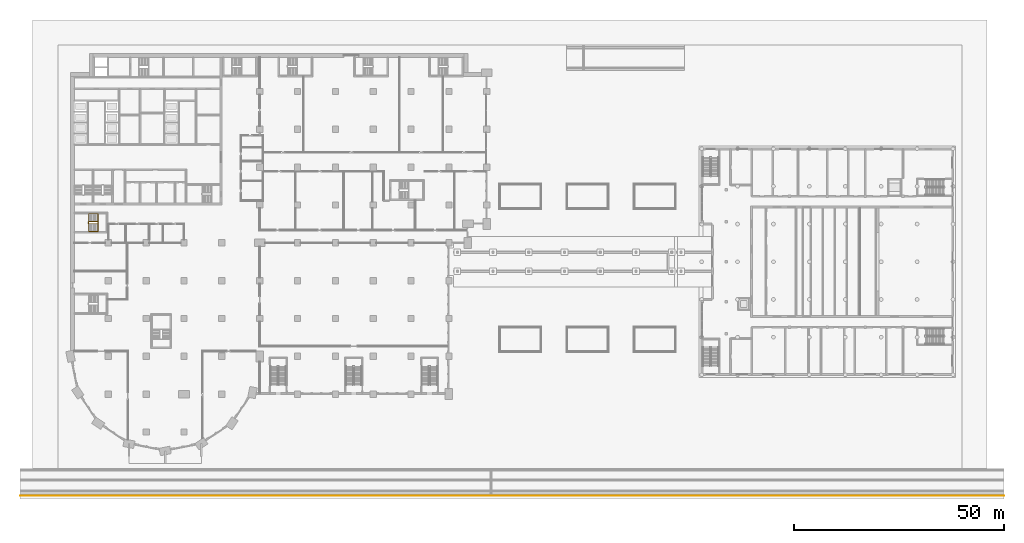
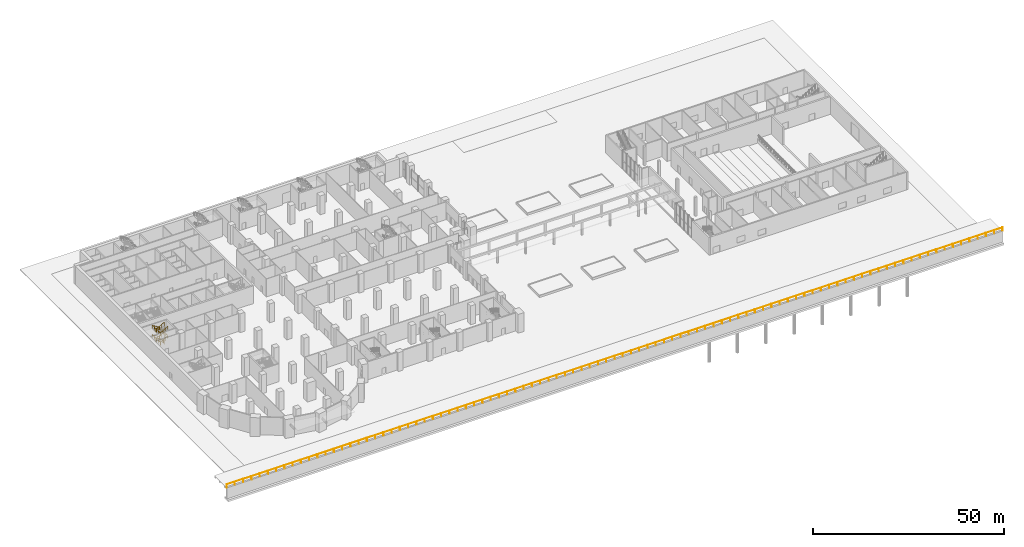
# One storey, part 38 of 47: 3 railings.
"""IFC4 building model written with IfcOpenShell, lengths in metres."""

from ifc_helpers import new_model, si_unit, direction, frame, origin, origin_2d, place, context, subcontext, project, spatial, circle, extrude, material, type_object, element, save


model = new_model("IFC4")

# Units and contexts
model_context = context("Model", 3, precision=1e-05, world=origin(), true_north=direction((0.0, 1.0)))
body_context = subcontext(model_context, "Body", "Model", "MODEL_VIEW")
ifc_project = project(units=[si_unit("LENGTHUNIT", "METRE"), si_unit("AREAUNIT", "SQUARE_METRE"), si_unit("VOLUMEUNIT", "CUBIC_METRE"), si_unit("PLANEANGLEUNIT", "RADIAN"), si_unit("MASSUNIT", "GRAM", prefix="KILO")], contexts=[model_context])

# Site, building, storey
site_placement = place(None, origin())
site = spatial("IfcSite", under=ifc_project, at=site_placement, CompositionType="ELEMENT")
building_placement = place(site_placement, origin())
building = spatial("IfcBuilding", under=site, at=building_placement, Name="Hunhe Ridgeline Campus", CompositionType="ELEMENT")
storey_placement = place(building_placement, origin())
storey = spatial("IfcBuildingStorey", under=building, at=storey_placement, Name="L00", CompositionType="ELEMENT", Elevation=0.0)

# Railings
ifc_material_1 = material(Name="Steel Q235", Category="steel")
railing_type_1 = type_object("IfcRailingType", Name="Quay guard 1100", PredefinedType="GUARDRAIL", material=ifc_material_1)
railing_1_placement = place(storey_placement, frame((-12.0, -6.14990234375, 0.0)))
element("IfcRailing", 1, at=railing_1_placement, inside=storey, type_object=railing_type_1, Name="Quay guard", PredefinedType="GUARDRAIL", context=body_context, shape_type="SweptSolid", body=[
    extrude(circle(Radius=0.02392578125, at=origin_2d()), frame((0.0, 0.0, 1.076171875), z_axis=(1.0, 0.0, 0.0), x_axis=(0.0, 1.0, 0.0)), (0.0, 0.0, 1.0), 234.0),
    extrude(circle(Radius=0.02099609375, at=origin_2d()), origin(), (0.0, 0.0, 1.0), 1.052001953125),
    extrude(circle(Radius=0.02099609375, at=origin_2d()), frame((2.4892578125, 0.0, 0.0)), (0.0, 0.0, 1.0), 1.052001953125),
    extrude(circle(Radius=0.02099609375, at=origin_2d()), frame((4.978759765625, 0.0, 0.0)), (0.0, 0.0, 1.0), 1.052001953125),
    extrude(circle(Radius=0.02099609375, at=origin_2d()), frame((7.468017578125, 0.0, 0.0)), (0.0, 0.0, 1.0), 1.052001953125),
    extrude(circle(Radius=0.02099609375, at=origin_2d()), frame((9.95751953125, 0.0, 0.0)), (0.0, 0.0, 1.0), 1.052001953125),
    extrude(circle(Radius=0.02099609375, at=origin_2d()), frame((12.44677734375, 0.0, 0.0)), (0.0, 0.0, 1.0), 1.052001953125),
    extrude(circle(Radius=0.02099609375, at=origin_2d()), frame((14.936279296875, 0.0, 0.0)), (0.0, 0.0, 1.0), 1.052001953125),
    extrude(circle(Radius=0.02099609375, at=origin_2d()), frame((17.425537109375, 0.0, 0.0)), (0.0, 0.0, 1.0), 1.052001953125),
    extrude(circle(Radius=0.02099609375, at=origin_2d()), frame((19.914794921875, 0.0, 0.0)), (0.0, 0.0, 1.0), 1.052001953125),
    extrude(circle(Radius=0.02099609375, at=origin_2d()), frame((22.404296875, 0.0, 0.0)), (0.0, 0.0, 1.0), 1.052001953125),
    extrude(circle(Radius=0.02099609375, at=origin_2d()), frame((24.8935546875, 0.0, 0.0)), (0.0, 0.0, 1.0), 1.052001953125),
    extrude(circle(Radius=0.02099609375, at=origin_2d()), frame((27.383056640625, 0.0, 0.0)), (0.0, 0.0, 1.0), 1.052001953125),
    extrude(circle(Radius=0.02099609375, at=origin_2d()), frame((29.872314453125, 0.0, 0.0)), (0.0, 0.0, 1.0), 1.052001953125),
    extrude(circle(Radius=0.02099609375, at=origin_2d()), frame((32.36181640625, 0.0, 0.0)), (0.0, 0.0, 1.0), 1.052001953125),
    extrude(circle(Radius=0.02099609375, at=origin_2d()), frame((34.85107421875, 0.0, 0.0)), (0.0, 0.0, 1.0), 1.052001953125),
    extrude(circle(Radius=0.02099609375, at=origin_2d()), frame((37.34033203125, 0.0, 0.0)), (0.0, 0.0, 1.0), 1.052001953125),
    extrude(circle(Radius=0.02099609375, at=origin_2d()), frame((39.829833984375, 0.0, 0.0)), (0.0, 0.0, 1.0), 1.052001953125),
    extrude(circle(Radius=0.02099609375, at=origin_2d()), frame((42.319091796875, 0.0, 0.0)), (0.0, 0.0, 1.0), 1.052001953125),
    extrude(circle(Radius=0.02099609375, at=origin_2d()), frame((44.80859375, 0.0, 0.0)), (0.0, 0.0, 1.0), 1.052001953125),
    extrude(circle(Radius=0.02099609375, at=origin_2d()), frame((47.2978515625, 0.0, 0.0)), (0.0, 0.0, 1.0), 1.052001953125),
    extrude(circle(Radius=0.02099609375, at=origin_2d()), frame((49.787353515625, 0.0, 0.0)), (0.0, 0.0, 1.0), 1.052001953125),
    extrude(circle(Radius=0.02099609375, at=origin_2d()), frame((52.276611328125, 0.0, 0.0)), (0.0, 0.0, 1.0), 1.052001953125),
    extrude(circle(Radius=0.02099609375, at=origin_2d()), frame((54.765869140625, 0.0, 0.0)), (0.0, 0.0, 1.0), 1.052001953125),
    extrude(circle(Radius=0.02099609375, at=origin_2d()), frame((57.25537109375, 0.0, 0.0)), (0.0, 0.0, 1.0), 1.052001953125),
    extrude(circle(Radius=0.02099609375, at=origin_2d()), frame((59.74462890625, 0.0, 0.0)), (0.0, 0.0, 1.0), 1.052001953125),
    extrude(circle(Radius=0.02099609375, at=origin_2d()), frame((62.234130859375, 0.0, 0.0)), (0.0, 0.0, 1.0), 1.052001953125),
    extrude(circle(Radius=0.02099609375, at=origin_2d()), frame((64.723388671875, 0.0, 0.0)), (0.0, 0.0, 1.0), 1.052001953125),
    extrude(circle(Radius=0.02099609375, at=origin_2d()), frame((67.212646484375, 0.0, 0.0)), (0.0, 0.0, 1.0), 1.052001953125),
    extrude(circle(Radius=0.02099609375, at=origin_2d()), frame((69.7021484375, 0.0, 0.0)), (0.0, 0.0, 1.0), 1.052001953125),
    extrude(circle(Radius=0.02099609375, at=origin_2d()), frame((72.19140625, 0.0, 0.0)), (0.0, 0.0, 1.0), 1.052001953125),
    extrude(circle(Radius=0.02099609375, at=origin_2d()), frame((74.680908203125, 0.0, 0.0)), (0.0, 0.0, 1.0), 1.052001953125),
    extrude(circle(Radius=0.02099609375, at=origin_2d()), frame((77.170166015625, 0.0, 0.0)), (0.0, 0.0, 1.0), 1.052001953125),
    extrude(circle(Radius=0.02099609375, at=origin_2d()), frame((79.65966796875, 0.0, 0.0)), (0.0, 0.0, 1.0), 1.052001953125),
    extrude(circle(Radius=0.02099609375, at=origin_2d()), frame((82.14892578125, 0.0, 0.0)), (0.0, 0.0, 1.0), 1.052001953125),
    extrude(circle(Radius=0.02099609375, at=origin_2d()), frame((84.63818359375, 0.0, 0.0)), (0.0, 0.0, 1.0), 1.052001953125),
    extrude(circle(Radius=0.02099609375, at=origin_2d()), frame((87.127685546875, 0.0, 0.0)), (0.0, 0.0, 1.0), 1.052001953125),
    extrude(circle(Radius=0.02099609375, at=origin_2d()), frame((89.616943359375, 0.0, 0.0)), (0.0, 0.0, 1.0), 1.052001953125),
    extrude(circle(Radius=0.02099609375, at=origin_2d()), frame((92.1064453125, 0.0, 0.0)), (0.0, 0.0, 1.0), 1.052001953125),
    extrude(circle(Radius=0.02099609375, at=origin_2d()), frame((94.595703125, 0.0, 0.0)), (0.0, 0.0, 1.0), 1.052001953125),
    extrude(circle(Radius=0.02099609375, at=origin_2d()), frame((97.085205078125, 0.0, 0.0)), (0.0, 0.0, 1.0), 1.052001953125),
    extrude(circle(Radius=0.02099609375, at=origin_2d()), frame((99.574462890625, 0.0, 0.0)), (0.0, 0.0, 1.0), 1.052001953125),
    extrude(circle(Radius=0.02099609375, at=origin_2d()), frame((102.063720703125, 0.0, 0.0)), (0.0, 0.0, 1.0), 1.052001953125),
    extrude(circle(Radius=0.02099609375, at=origin_2d()), frame((104.55322265625, 0.0, 0.0)), (0.0, 0.0, 1.0), 1.052001953125),
    extrude(circle(Radius=0.02099609375, at=origin_2d()), frame((107.04248046875, 0.0, 0.0)), (0.0, 0.0, 1.0), 1.052001953125),
    extrude(circle(Radius=0.02099609375, at=origin_2d()), frame((109.531982421875, 0.0, 0.0)), (0.0, 0.0, 1.0), 1.052001953125),
    extrude(circle(Radius=0.02099609375, at=origin_2d()), frame((112.021240234375, 0.0, 0.0)), (0.0, 0.0, 1.0), 1.052001953125),
    extrude(circle(Radius=0.02099609375, at=origin_2d()), frame((114.5107421875, 0.0, 0.0)), (0.0, 0.0, 1.0), 1.052001953125),
    extrude(circle(Radius=0.02099609375, at=origin_2d()), frame((117.0, 0.0, 0.0)), (0.0, 0.0, 1.0), 1.052001953125),
    extrude(circle(Radius=0.02099609375, at=origin_2d()), frame((119.4892578125, 0.0, 0.0)), (0.0, 0.0, 1.0), 1.052001953125),
    extrude(circle(Radius=0.02099609375, at=origin_2d()), frame((121.978759765625, 0.0, 0.0)), (0.0, 0.0, 1.0), 1.052001953125),
    extrude(circle(Radius=0.02099609375, at=origin_2d()), frame((124.468017578125, 0.0, 0.0)), (0.0, 0.0, 1.0), 1.052001953125),
    extrude(circle(Radius=0.02099609375, at=origin_2d()), frame((126.95751953125, 0.0, 0.0)), (0.0, 0.0, 1.0), 1.052001953125),
    extrude(circle(Radius=0.02099609375, at=origin_2d()), frame((129.44677734375, 0.0, 0.0)), (0.0, 0.0, 1.0), 1.052001953125),
    extrude(circle(Radius=0.02099609375, at=origin_2d()), frame((131.936279296875, 0.0, 0.0)), (0.0, 0.0, 1.0), 1.052001953125),
    extrude(circle(Radius=0.02099609375, at=origin_2d()), frame((134.425537109375, 0.0, 0.0)), (0.0, 0.0, 1.0), 1.052001953125),
    extrude(circle(Radius=0.02099609375, at=origin_2d()), frame((136.914794921875, 0.0, 0.0)), (0.0, 0.0, 1.0), 1.052001953125),
    extrude(circle(Radius=0.02099609375, at=origin_2d()), frame((139.404296875, 0.0, 0.0)), (0.0, 0.0, 1.0), 1.052001953125),
    extrude(circle(Radius=0.02099609375, at=origin_2d()), frame((141.8935546875, 0.0, 0.0)), (0.0, 0.0, 1.0), 1.052001953125),
    extrude(circle(Radius=0.02099609375, at=origin_2d()), frame((144.383056640625, 0.0, 0.0)), (0.0, 0.0, 1.0), 1.052001953125),
    extrude(circle(Radius=0.02099609375, at=origin_2d()), frame((146.872314453125, 0.0, 0.0)), (0.0, 0.0, 1.0), 1.052001953125),
    extrude(circle(Radius=0.02099609375, at=origin_2d()), frame((149.36181640625, 0.0, 0.0)), (0.0, 0.0, 1.0), 1.052001953125),
    extrude(circle(Radius=0.02099609375, at=origin_2d()), frame((151.85107421875, 0.0, 0.0)), (0.0, 0.0, 1.0), 1.052001953125),
    extrude(circle(Radius=0.02099609375, at=origin_2d()), frame((154.34033203125, 0.0, 0.0)), (0.0, 0.0, 1.0), 1.052001953125),
    extrude(circle(Radius=0.02099609375, at=origin_2d()), frame((156.829833984375, 0.0, 0.0)), (0.0, 0.0, 1.0), 1.052001953125),
    extrude(circle(Radius=0.02099609375, at=origin_2d()), frame((159.319091796875, 0.0, 0.0)), (0.0, 0.0, 1.0), 1.052001953125),
    extrude(circle(Radius=0.02099609375, at=origin_2d()), frame((161.80859375, 0.0, 0.0)), (0.0, 0.0, 1.0), 1.052001953125),
    extrude(circle(Radius=0.02099609375, at=origin_2d()), frame((164.2978515625, 0.0, 0.0)), (0.0, 0.0, 1.0), 1.052001953125),
    extrude(circle(Radius=0.02099609375, at=origin_2d()), frame((166.787353515625, 0.0, 0.0)), (0.0, 0.0, 1.0), 1.052001953125),
    extrude(circle(Radius=0.02099609375, at=origin_2d()), frame((169.276611328125, 0.0, 0.0)), (0.0, 0.0, 1.0), 1.052001953125),
    extrude(circle(Radius=0.02099609375, at=origin_2d()), frame((171.765869140625, 0.0, 0.0)), (0.0, 0.0, 1.0), 1.052001953125),
    extrude(circle(Radius=0.02099609375, at=origin_2d()), frame((174.25537109375, 0.0, 0.0)), (0.0, 0.0, 1.0), 1.052001953125),
    extrude(circle(Radius=0.02099609375, at=origin_2d()), frame((176.74462890625, 0.0, 0.0)), (0.0, 0.0, 1.0), 1.052001953125),
    extrude(circle(Radius=0.02099609375, at=origin_2d()), frame((179.234130859375, 0.0, 0.0)), (0.0, 0.0, 1.0), 1.052001953125),
    extrude(circle(Radius=0.02099609375, at=origin_2d()), frame((181.723388671875, 0.0, 0.0)), (0.0, 0.0, 1.0), 1.052001953125),
    extrude(circle(Radius=0.02099609375, at=origin_2d()), frame((184.212646484375, 0.0, 0.0)), (0.0, 0.0, 1.0), 1.052001953125),
    extrude(circle(Radius=0.02099609375, at=origin_2d()), frame((186.7021484375, 0.0, 0.0)), (0.0, 0.0, 1.0), 1.052001953125),
    extrude(circle(Radius=0.02099609375, at=origin_2d()), frame((189.19140625, 0.0, 0.0)), (0.0, 0.0, 1.0), 1.052001953125),
    extrude(circle(Radius=0.02099609375, at=origin_2d()), frame((191.680908203125, 0.0, 0.0)), (0.0, 0.0, 1.0), 1.052001953125),
    extrude(circle(Radius=0.02099609375, at=origin_2d()), frame((194.170166015625, 0.0, 0.0)), (0.0, 0.0, 1.0), 1.052001953125),
    extrude(circle(Radius=0.02099609375, at=origin_2d()), frame((196.65966796875, 0.0, 0.0)), (0.0, 0.0, 1.0), 1.052001953125),
    extrude(circle(Radius=0.02099609375, at=origin_2d()), frame((199.14892578125, 0.0, 0.0)), (0.0, 0.0, 1.0), 1.052001953125),
    extrude(circle(Radius=0.02099609375, at=origin_2d()), frame((201.63818359375, 0.0, 0.0)), (0.0, 0.0, 1.0), 1.052001953125),
    extrude(circle(Radius=0.02099609375, at=origin_2d()), frame((204.127685546875, 0.0, 0.0)), (0.0, 0.0, 1.0), 1.052001953125),
    extrude(circle(Radius=0.02099609375, at=origin_2d()), frame((206.616943359375, 0.0, 0.0)), (0.0, 0.0, 1.0), 1.052001953125),
    extrude(circle(Radius=0.02099609375, at=origin_2d()), frame((209.1064453125, 0.0, 0.0)), (0.0, 0.0, 1.0), 1.052001953125),
    extrude(circle(Radius=0.02099609375, at=origin_2d()), frame((211.595703125, 0.0, 0.0)), (0.0, 0.0, 1.0), 1.052001953125),
    extrude(circle(Radius=0.02099609375, at=origin_2d()), frame((214.085205078125, 0.0, 0.0)), (0.0, 0.0, 1.0), 1.052001953125),
    extrude(circle(Radius=0.02099609375, at=origin_2d()), frame((216.574462890625, 0.0, 0.0)), (0.0, 0.0, 1.0), 1.052001953125),
    extrude(circle(Radius=0.02099609375, at=origin_2d()), frame((219.063720703125, 0.0, 0.0)), (0.0, 0.0, 1.0), 1.052001953125),
    extrude(circle(Radius=0.02099609375, at=origin_2d()), frame((221.55322265625, 0.0, 0.0)), (0.0, 0.0, 1.0), 1.052001953125),
    extrude(circle(Radius=0.02099609375, at=origin_2d()), frame((224.04248046875, 0.0, 0.0)), (0.0, 0.0, 1.0), 1.052001953125),
    extrude(circle(Radius=0.02099609375, at=origin_2d()), frame((226.531982421875, 0.0, 0.0)), (0.0, 0.0, 1.0), 1.052001953125),
    extrude(circle(Radius=0.02099609375, at=origin_2d()), frame((229.021240234375, 0.0, 0.0)), (0.0, 0.0, 1.0), 1.052001953125),
    extrude(circle(Radius=0.02099609375, at=origin_2d()), frame((231.5107421875, 0.0, 0.0)), (0.0, 0.0, 1.0), 1.052001953125),
    extrude(circle(Radius=0.02099609375, at=origin_2d()), frame((234.0, 0.0, 0.0)), (0.0, 0.0, 1.0), 1.052001953125),
])
ifc_material_2 = material(Name="Stainless steel balustrade", Category="steel")
railing_type_2 = type_object("IfcRailingType", Name="Stair guard 1100 stainless", PredefinedType="GUARDRAIL", material=ifc_material_2)
railing_2_placement = place(storey_placement, frame((6.550048828125, 59.050048828125, 0.166748046875)))
element("IfcRailing", 2, at=railing_2_placement, inside=storey, type_object=railing_type_2, Name="L00 stair W2 guard", PredefinedType="GUARDRAIL", context=body_context, shape_type="SweptSolid", body=[
    extrude(circle(Radius=0.02392578125, at=origin_2d()), frame((0.0, 0.0, 1.076171875), z_axis=(-0.859305625298, 0.0, 0.511462454469), x_axis=(0.0, -1.0, 0.0)), (0.0, 0.0, 1.0), 2.606689453125),
    extrude(circle(Radius=0.02392578125, at=origin_2d()), frame((-2.239990234375, 0.0, 2.4091796875), z_axis=(-0.707106781187, -0.707106781187, 0.0), x_axis=(0.707106781187, -0.707106781187, 0.0)), (0.0, 0.0, 1.0), 0.07080078125),
    extrude(circle(Radius=0.02392578125, at=origin_2d()), frame((-2.2900390625, -0.050048828125, 2.4091796875), z_axis=(0.0, -1.0, 0.0), x_axis=(1.0, 0.0, 0.0)), (0.0, 0.0, 1.0), 0.39990234375),
    extrude(circle(Radius=0.02392578125, at=origin_2d()), frame((-2.2900390625, -0.449951171875, 2.4091796875), z_axis=(0.27628659633, -0.27628659633, 0.920506074601), x_axis=(0.707106781187, 0.707106781187, 0.0)), (0.0, 0.0, 1.0), 0.18115234375),
    extrude(circle(Radius=0.02392578125, at=origin_2d()), frame((-2.239990234375, -0.5, 2.576171875), z_axis=(0.859305625298, 0.0, 0.511462454469), x_axis=(0.0, 1.0, 0.0)), (0.0, 0.0, 1.0), 2.606689453125),
    extrude(circle(Radius=0.02392578125, at=origin_2d()), frame((0.0, -0.5, 3.9091796875), z_axis=(0.707106781187, 0.707106781187, 0.0), x_axis=(-0.707106781187, 0.707106781187, 0.0)), (0.0, 0.0, 1.0), 0.07080078125),
    extrude(circle(Radius=0.02392578125, at=origin_2d()), frame((0.050048828125, -0.449951171875, 3.9091796875), z_axis=(0.0, 1.0, 0.0), x_axis=(-1.0, 0.0, 0.0)), (0.0, 0.0, 1.0), 0.39990234375),
    extrude(circle(Radius=0.02392578125, at=origin_2d()), frame((0.050048828125, -0.050048828125, 3.9091796875), z_axis=(-0.27628659633, 0.27628659633, 0.920506074601), x_axis=(-0.707106781187, -0.707106781187, 0.0)), (0.0, 0.0, 1.0), 0.18115234375),
    extrude(circle(Radius=0.02392578125, at=origin_2d()), frame((0.0, 0.0, 4.076171875), z_axis=(-0.859305625298, 0.0, 0.511462454469), x_axis=(0.0, -1.0, 0.0)), (0.0, 0.0, 1.0), 2.606689453125),
    extrude(circle(Radius=0.02392578125, at=origin_2d()), frame((-2.239990234375, 0.0, 5.4091796875), z_axis=(-0.707106781187, -0.707106781187, 0.0), x_axis=(0.707106781187, -0.707106781187, 0.0)), (0.0, 0.0, 1.0), 0.07080078125),
    extrude(circle(Radius=0.02392578125, at=origin_2d()), frame((-2.2900390625, -0.050048828125, 5.4091796875), z_axis=(0.0, -1.0, 0.0), x_axis=(1.0, 0.0, 0.0)), (0.0, 0.0, 1.0), 0.39990234375),
    extrude(circle(Radius=0.02392578125, at=origin_2d()), frame((-2.2900390625, -0.449951171875, 5.4091796875), z_axis=(0.27628659633, -0.27628659633, 0.920506074601), x_axis=(0.707106781187, 0.707106781187, 0.0)), (0.0, 0.0, 1.0), 0.18115234375),
    extrude(circle(Radius=0.02392578125, at=origin_2d()), frame((-2.239990234375, -0.5, 5.576171875), z_axis=(0.859305625298, 0.0, 0.511462454469), x_axis=(0.0, 1.0, 0.0)), (0.0, 0.0, 1.0), 2.606689453125),
    extrude(circle(Radius=0.02392578125, at=origin_2d()), frame((0.0, -0.5, 6.9091796875), z_axis=(0.008340891014, 0.008340891014, -0.999930427117), x_axis=(1.0, 0.0, 0.0)), (0.0, 0.0, 1.0), 6.00048828125),
    extrude(circle(Radius=0.02392578125, at=origin_2d()), frame((0.050048828125, -0.449951171875, 0.9091796875), z_axis=(0.0, 1.0, 0.0), x_axis=(-1.0, 0.0, 0.0)), (0.0, 0.0, 1.0), 0.39990234375),
    extrude(circle(Radius=0.02099609375, at=origin_2d()), origin(), (0.0, 0.0, 1.0), 1.052001953125),
    extrude(circle(Radius=0.02099609375, at=origin_2d()), frame((-0.74658203125, 0.0, 0.4443359375)), (0.0, 0.0, 1.0), 1.052001953125),
    extrude(circle(Radius=0.02099609375, at=origin_2d()), frame((-1.493408203125, 0.0, 0.888916015625)), (0.0, 0.0, 1.0), 1.052001953125),
    extrude(circle(Radius=0.02099609375, at=origin_2d()), frame((-2.239990234375, 0.0, 1.333251953125)), (0.0, 0.0, 1.0), 1.052001953125),
    extrude(circle(Radius=0.02099609375, at=origin_2d()), frame((-2.2900390625, -0.050048828125, 1.333251953125)), (0.0, 0.0, 1.0), 1.052001953125),
    extrude(circle(Radius=0.02099609375, at=origin_2d()), frame((-2.2900390625, -0.449951171875, 1.333251953125)), (0.0, 0.0, 1.0), 1.052001953125),
    extrude(circle(Radius=0.02099609375, at=origin_2d()), frame((-2.239990234375, -0.5, 1.5)), (0.0, 0.0, 1.0), 1.052001953125),
    extrude(circle(Radius=0.02099609375, at=origin_2d()), frame((-1.493408203125, -0.5, 1.9443359375)), (0.0, 0.0, 1.0), 1.052001953125),
    extrude(circle(Radius=0.02099609375, at=origin_2d()), frame((-0.74658203125, -0.5, 2.388916015625)), (0.0, 0.0, 1.0), 1.052001953125),
    extrude(circle(Radius=0.02099609375, at=origin_2d()), frame((0.0, -0.5, 2.833251953125)), (0.0, 0.0, 1.0), 1.052001953125),
    extrude(circle(Radius=0.02099609375, at=origin_2d()), frame((0.050048828125, -0.449951171875, 2.833251953125)), (0.0, 0.0, 1.0), 1.052001953125),
    extrude(circle(Radius=0.02099609375, at=origin_2d()), frame((0.050048828125, -0.050048828125, 2.833251953125)), (0.0, 0.0, 1.0), 1.052001953125),
    extrude(circle(Radius=0.02099609375, at=origin_2d()), frame((0.0, 0.0, 3.0)), (0.0, 0.0, 1.0), 1.052001953125),
    extrude(circle(Radius=0.02099609375, at=origin_2d()), frame((-0.74658203125, 0.0, 3.4443359375)), (0.0, 0.0, 1.0), 1.052001953125),
    extrude(circle(Radius=0.02099609375, at=origin_2d()), frame((-1.493408203125, 0.0, 3.888916015625)), (0.0, 0.0, 1.0), 1.052001953125),
    extrude(circle(Radius=0.02099609375, at=origin_2d()), frame((-2.239990234375, 0.0, 4.333251953125)), (0.0, 0.0, 1.0), 1.052001953125),
    extrude(circle(Radius=0.02099609375, at=origin_2d()), frame((-2.2900390625, -0.050048828125, 4.333251953125)), (0.0, 0.0, 1.0), 1.052001953125),
    extrude(circle(Radius=0.02099609375, at=origin_2d()), frame((-2.2900390625, -0.449951171875, 4.333251953125)), (0.0, 0.0, 1.0), 1.052001953125),
    extrude(circle(Radius=0.02099609375, at=origin_2d()), frame((-2.239990234375, -0.5, 4.5)), (0.0, 0.0, 1.0), 1.052001953125),
    extrude(circle(Radius=0.02099609375, at=origin_2d()), frame((-1.493408203125, -0.5, 4.9443359375)), (0.0, 0.0, 1.0), 1.052001953125),
    extrude(circle(Radius=0.02099609375, at=origin_2d()), frame((-0.74658203125, -0.5, 5.388916015625)), (0.0, 0.0, 1.0), 1.052001953125),
    extrude(circle(Radius=0.02099609375, at=origin_2d()), frame((0.0, -0.5, 5.833251953125)), (0.0, 0.0, 1.0), 1.052001953125),
    extrude(circle(Radius=0.02099609375, at=origin_2d()), frame((0.00830078125, -0.49169921875, 4.833251953125)), (0.0, 0.0, 1.0), 1.052001953125),
    extrude(circle(Radius=0.02099609375, at=origin_2d()), frame((0.0166015625, -0.4833984375, 3.833251953125)), (0.0, 0.0, 1.0), 1.052001953125),
    extrude(circle(Radius=0.02099609375, at=origin_2d()), frame((0.02490234375, -0.47509765625, 2.833251953125)), (0.0, 0.0, 1.0), 1.052001953125),
    extrude(circle(Radius=0.02099609375, at=origin_2d()), frame((0.033447265625, -0.466552734375, 1.833251953125)), (0.0, 0.0, 1.0), 1.052001953125),
    extrude(circle(Radius=0.02099609375, at=origin_2d()), frame((0.041748046875, -0.458251953125, 0.833251953125)), (0.0, 0.0, 1.0), 1.052001953125),
    extrude(circle(Radius=0.02099609375, at=origin_2d()), frame((0.050048828125, -0.449951171875, -0.166748046875)), (0.0, 0.0, 1.0), 1.052001953125),
    extrude(circle(Radius=0.02099609375, at=origin_2d()), frame((0.050048828125, -0.050048828125, -0.166748046875)), (0.0, 0.0, 1.0), 1.052001953125),
])
ifc_material_3 = material(Name="Stainless steel handrail", Category="steel")
railing_type_3 = type_object("IfcRailingType", Name="Stair handrail 900 stainless", PredefinedType="HANDRAIL", material=ifc_material_3)
railing_3_placement = place(storey_placement, frame((6.550048828125, 60.89990234375, 0.166748046875)))
element("IfcRailing", 3, at=railing_3_placement, inside=storey, type_object=railing_type_3, Name="L00 stair W2 handrail", PredefinedType="HANDRAIL", context=body_context, shape_type="SweptSolid", body=[
    extrude(circle(Radius=0.02392578125, at=origin_2d()), frame((0.0, 0.0, 0.8759765625), z_axis=(-0.859305625298, 0.0, 0.511462454469), x_axis=(0.0, -1.0, 0.0)), (0.0, 0.0, 1.0), 2.606689453125),
    extrude(circle(Radius=0.02392578125, at=origin_2d()), frame((-2.239990234375, 0.0, 2.208984375), z_axis=(0.0, -0.999212791134, 0.039671123429), x_axis=(1.0, 0.0, 0.0)), (0.0, 0.0, 1.0), 4.203369140625),
    extrude(circle(Radius=0.02392578125, at=origin_2d()), frame((-2.239990234375, -4.199951171875, 2.3759765625), z_axis=(0.859305625298, 0.0, 0.511462454469), x_axis=(0.0, 1.0, 0.0)), (0.0, 0.0, 1.0), 2.606689453125),
    extrude(circle(Radius=0.02392578125, at=origin_2d()), frame((0.0, -4.199951171875, 3.708984375), z_axis=(0.0, 0.999212791134, 0.039671123429), x_axis=(-1.0, 0.0, 0.0)), (0.0, 0.0, 1.0), 4.203369140625),
    extrude(circle(Radius=0.02392578125, at=origin_2d()), frame((0.0, 0.0, 3.8759765625), z_axis=(-0.859305625298, 0.0, 0.511462454469), x_axis=(0.0, -1.0, 0.0)), (0.0, 0.0, 1.0), 2.606689453125),
    extrude(circle(Radius=0.02392578125, at=origin_2d()), frame((-2.239990234375, 0.0, 5.208984375), z_axis=(0.0, -0.999212791134, 0.039671123429), x_axis=(1.0, 0.0, 0.0)), (0.0, 0.0, 1.0), 4.203369140625),
    extrude(circle(Radius=0.02392578125, at=origin_2d()), frame((-2.239990234375, -4.199951171875, 5.3759765625), z_axis=(0.859305625298, 0.0, 0.511462454469), x_axis=(0.0, 1.0, 0.0)), (0.0, 0.0, 1.0), 2.606689453125),
    extrude(circle(Radius=0.02099609375, at=origin_2d()), origin(), (0.0, 0.0, 1.0), 0.851806640625),
    extrude(circle(Radius=0.02099609375, at=origin_2d()), frame((-0.74658203125, 0.0, 0.4443359375)), (0.0, 0.0, 1.0), 0.851806640625),
    extrude(circle(Radius=0.02099609375, at=origin_2d()), frame((-1.493408203125, 0.0, 0.888916015625)), (0.0, 0.0, 1.0), 0.851806640625),
    extrude(circle(Radius=0.02099609375, at=origin_2d()), frame((-2.239990234375, 0.0, 1.333251953125)), (0.0, 0.0, 1.0), 0.851806640625),
    extrude(circle(Radius=0.02099609375, at=origin_2d()), frame((-2.239990234375, -1.050048828125, 1.375)), (0.0, 0.0, 1.0), 0.851806640625),
    extrude(circle(Radius=0.02099609375, at=origin_2d()), frame((-2.239990234375, -2.10009765625, 1.41650390625)), (0.0, 0.0, 1.0), 0.851806640625),
    extrude(circle(Radius=0.02099609375, at=origin_2d()), frame((-2.239990234375, -3.14990234375, 1.458251953125)), (0.0, 0.0, 1.0), 0.851806640625),
    extrude(circle(Radius=0.02099609375, at=origin_2d()), frame((-2.239990234375, -4.199951171875, 1.5)), (0.0, 0.0, 1.0), 0.851806640625),
    extrude(circle(Radius=0.02099609375, at=origin_2d()), frame((-1.493408203125, -4.199951171875, 1.9443359375)), (0.0, 0.0, 1.0), 0.851806640625),
    extrude(circle(Radius=0.02099609375, at=origin_2d()), frame((-0.74658203125, -4.199951171875, 2.388916015625)), (0.0, 0.0, 1.0), 0.851806640625),
    extrude(circle(Radius=0.02099609375, at=origin_2d()), frame((0.0, -4.199951171875, 2.833251953125)), (0.0, 0.0, 1.0), 0.851806640625),
    extrude(circle(Radius=0.02099609375, at=origin_2d()), frame((0.0, -3.14990234375, 2.875)), (0.0, 0.0, 1.0), 0.851806640625),
    extrude(circle(Radius=0.02099609375, at=origin_2d()), frame((0.0, -2.10009765625, 2.91650390625)), (0.0, 0.0, 1.0), 0.851806640625),
    extrude(circle(Radius=0.02099609375, at=origin_2d()), frame((0.0, -1.050048828125, 2.958251953125)), (0.0, 0.0, 1.0), 0.851806640625),
    extrude(circle(Radius=0.02099609375, at=origin_2d()), frame((0.0, 0.0, 3.0)), (0.0, 0.0, 1.0), 0.851806640625),
    extrude(circle(Radius=0.02099609375, at=origin_2d()), frame((-0.74658203125, 0.0, 3.4443359375)), (0.0, 0.0, 1.0), 0.851806640625),
    extrude(circle(Radius=0.02099609375, at=origin_2d()), frame((-1.493408203125, 0.0, 3.888916015625)), (0.0, 0.0, 1.0), 0.851806640625),
    extrude(circle(Radius=0.02099609375, at=origin_2d()), frame((-2.239990234375, 0.0, 4.333251953125)), (0.0, 0.0, 1.0), 0.851806640625),
    extrude(circle(Radius=0.02099609375, at=origin_2d()), frame((-2.239990234375, -1.050048828125, 4.375)), (0.0, 0.0, 1.0), 0.851806640625),
    extrude(circle(Radius=0.02099609375, at=origin_2d()), frame((-2.239990234375, -2.10009765625, 4.41650390625)), (0.0, 0.0, 1.0), 0.851806640625),
    extrude(circle(Radius=0.02099609375, at=origin_2d()), frame((-2.239990234375, -3.14990234375, 4.458251953125)), (0.0, 0.0, 1.0), 0.851806640625),
    extrude(circle(Radius=0.02099609375, at=origin_2d()), frame((-2.239990234375, -4.199951171875, 4.5)), (0.0, 0.0, 1.0), 0.851806640625),
    extrude(circle(Radius=0.02099609375, at=origin_2d()), frame((-1.493408203125, -4.199951171875, 4.9443359375)), (0.0, 0.0, 1.0), 0.851806640625),
    extrude(circle(Radius=0.02099609375, at=origin_2d()), frame((-0.74658203125, -4.199951171875, 5.388916015625)), (0.0, 0.0, 1.0), 0.851806640625),
    extrude(circle(Radius=0.02099609375, at=origin_2d()), frame((0.0, -4.199951171875, 5.833251953125)), (0.0, 0.0, 1.0), 0.851806640625),
])

save(model, "model.ifc")
